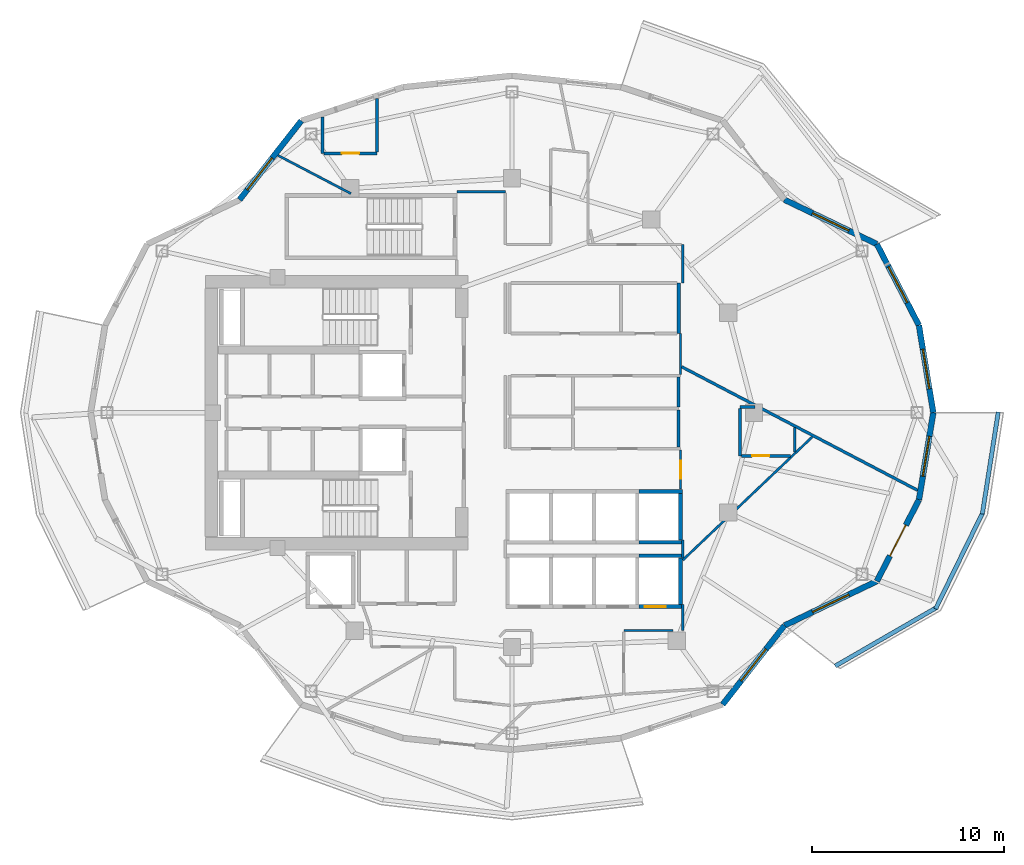
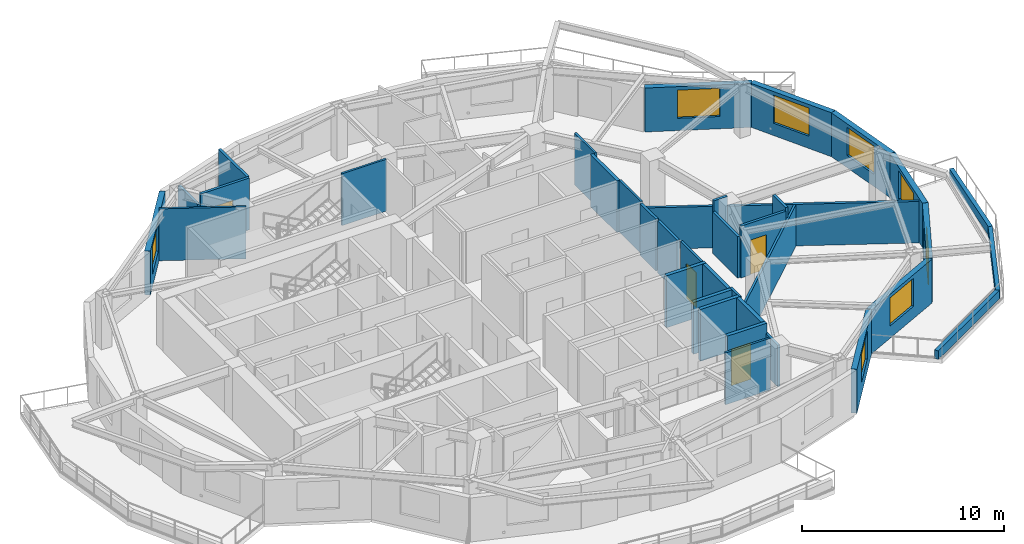
# One storey, part 6 of 11: 37 walls, 7 windows, 5 doors, 12 openings.
"""IFC4 building model written with IfcOpenShell, lengths in metres."""

from ifc_helpers import new_model, si_unit, direction, frame, frame_2d, origin, place, context, subcontext, project, spatial, rectangle, extrude, material, layer, layer_set, type_object, element, fill, save


model = new_model("IFC4")

# Units and contexts
model_context = context("Model", 3, precision=1e-05, world=origin(), true_north=direction((0.0, 1.0)))
body_context = subcontext(model_context, "Body", "Model", "MODEL_VIEW")
ifc_project = project(units=[si_unit("LENGTHUNIT", "METRE"), si_unit("AREAUNIT", "SQUARE_METRE"), si_unit("VOLUMEUNIT", "CUBIC_METRE"), si_unit("PLANEANGLEUNIT", "RADIAN"), si_unit("MASSUNIT", "GRAM", prefix="KILO")], contexts=[model_context])

# Site, building, storey
site_placement = place(None, origin())
site = spatial("IfcSite", under=ifc_project, at=site_placement, CompositionType="ELEMENT")
building_placement = place(site_placement, origin())
building = spatial("IfcBuilding", under=site, at=building_placement, Name="Kolvaren Gate Tower and Convention Centre", CompositionType="ELEMENT")
storey_placement = place(building_placement, frame((0.0, 0.0, 159.699951171875)))
storey = spatial("IfcBuildingStorey", under=building, at=storey_placement, Name="L41", CompositionType="ELEMENT", Elevation=159.699951171875)

# Walls
ifc_material_1 = material(Name="Autoclaved Aerated Masonry Blockwork Class 4 (4.0 MPa)", Category="masonry")
ifc_layer_1 = layer(ifc_material_1, 0.179931640625)
ifc_layer_set_1 = layer_set([ifc_layer_1], Name="Autoclaved Aerated Masonry Blockwork Class 4 (4.0 MPa)")
wall_type_1 = type_object("IfcWallType", Name="ARCH-WL-COMP-180", PredefinedType="SOLIDWALL", material=ifc_layer_set_1)
wall_1_placement = place(storey_placement, frame((38.800048828125, 31.1201171875, 0.0), z_axis=(0.0, 0.0, 1.0), x_axis=(0.0, 1.0, 0.0)))
element("IfcWall", 1, at=wall_1_placement, inside=storey, type_object=wall_type_1, Name="Interior Partition WL-L41-INT-024", PredefinedType="SOLIDWALL", context=body_context, shape_type="SweptSolid", body=[
    extrude(rectangle(XDim=2.6298828125, YDim=0.179931640625, at=frame_2d((1.31494140625, 0.0))), origin(), (0.0, 0.0, 1.0), 3.130126953125),
])
ifc_material_2 = material(Name="Fire-Rated Acoustic Gypsum Stud Partition", Category="gypsum")
ifc_layer_2 = layer(ifc_material_2, 0.1201171875)
ifc_layer_set_2 = layer_set([ifc_layer_2], Name="Fire-Rated Acoustic Gypsum Stud Partition")
wall_type_2 = type_object("IfcWallType", Name="ARCH-WL-PART-120", PredefinedType="PARTITIONING", material=ifc_layer_set_2)
wall_2_placement = place(storey_placement, frame((39.02001953125, 15.64990234375, 0.0), z_axis=(0.0, 0.0, 1.0), x_axis=(0.0, 1.0, 0.0)))
element("IfcWall", 2, at=wall_2_placement, inside=storey, type_object=wall_type_2, Name="Interior Partition WL-L41-INT-028", PredefinedType="PARTITIONING", context=body_context, shape_type="SweptSolid", body=[
    extrude(rectangle(XDim=1.360107421875, YDim=0.1201171875, at=frame_2d((0.68017578125, 0.0))), origin(), (0.0, 0.0, 1.0), 2.505126953125),
])
wall_3_placement = place(storey_placement, frame((39.02001953125, 19.43994140625, 0.0), z_axis=(0.0, 0.0, 1.0), x_axis=(0.0, 1.0, 0.0)))
element("IfcWall", 3, at=wall_3_placement, inside=storey, type_object=wall_type_2, Name="Interior Partition WL-L41-INT-028 (2)", PredefinedType="PARTITIONING", context=body_context, shape_type="SweptSolid", body=[
    extrude(rectangle(XDim=0.920166015625, YDim=0.1201171875, at=frame_2d((0.4599609375, 0.0))), origin(), (0.0, 0.0, 1.0), 3.130126953125),
])
wall_4_placement = place(storey_placement, frame((39.02001953125, 33.75, 0.0), z_axis=(0.0, 0.0, 1.0), x_axis=(0.0, 1.0, 0.0)))
element("IfcWall", 4, at=wall_4_placement, inside=storey, type_object=wall_type_2, Name="Interior Partition WL-L41-INT-029", PredefinedType="PARTITIONING", context=body_context, shape_type="SweptSolid", body=[
    extrude(rectangle(XDim=2.0, YDim=0.1201171875, at=frame_2d((1.0, 0.0))), origin(), (0.0, 0.0, 1.0), 3.130126953125),
])
wall_5_placement = place(storey_placement, frame((35.949951171875, 15.64990234375, 0.0), z_axis=(0.0, 0.0, 1.0), x_axis=(1.0, 0.0, 0.0)))
element("IfcWall", 5, at=wall_5_placement, inside=storey, type_object=wall_type_2, Name="Interior Partition WL-L41-INT-031", PredefinedType="PARTITIONING", context=body_context, shape_type="SweptSolid", body=[
    extrude(rectangle(XDim=2.568115234375, YDim=0.1201171875, at=frame_2d((1.2841796875, 0.0))), origin(), (0.0, 0.0, 1.0), 3.130126953125),
])
wall_6_placement = place(storey_placement, frame((27.25, 38.5, 0.0), z_axis=(0.0, 0.0, 1.0), x_axis=(1.0, 0.0, 0.0)))
element("IfcWall", 6, at=wall_6_placement, inside=storey, type_object=wall_type_2, Name="Interior Partition WL-L41-INT-039", PredefinedType="PARTITIONING", context=body_context, shape_type="SweptSolid", body=[
    extrude(rectangle(XDim=2.530029296875, YDim=0.1201171875, at=frame_2d((1.26513671875, 0.0))), origin(), (0.0, 0.0, 1.0), 3.130126953125),
])

# Wall, opening, door
wall_7_placement = place(storey_placement, frame((38.89990234375, 23.02001953125, 0.0), z_axis=(0.0, 0.0, 1.0), x_axis=(0.0, 1.0, 0.0)))
wall_7 = element("IfcWall", 7, at=wall_7_placement, inside=storey, type_object=wall_type_2, Name="Interior Partition WL-L41-INT-049", PredefinedType="PARTITIONING", context=body_context, shape_type="SweptSolid", body=[
    extrude(rectangle(XDim=2.02294921875, YDim=0.1201171875, at=frame_2d((1.011474609375, 0.0))), origin(), (0.0, 0.0, 1.0), 3.130126953125),
])
opening_1_placement = place(wall_7_placement, frame((0.53662109375, 0.0, 0.0)))
opening_1 = element("IfcOpeningElement", 8, at=opening_1_placement, cuts=wall_7, Name="Opening DR-01", PredefinedType="OPENING", context=body_context, shape_type="SweptSolid", body=[
    extrude(rectangle(XDim=0.949951171875, YDim=2.10009765625, at=frame_2d((0.47509765625, 1.050048828125))), frame((0.0, 0.070068359375, 0.0), z_axis=(0.0, -1.0, 0.0), x_axis=(1.0, 0.0, 0.0)), (0.0, 0.0, 1.0), 0.14013671875),
])
ifc_material_3 = material(Name="Painted Architectural Steelwork ASTM A500 Grade C 345 MPa", Category="steel")
door_type_1 = type_object("IfcDoorType", Name="ARCH-DR-RISER-950", OperationType="SINGLE_SWING_RIGHT", PredefinedType="DOOR", material=ifc_material_3)
door_1_placement = place(opening_1_placement, origin())
door_1 = element("IfcDoor", 9, at=door_1_placement, inside=storey, type_object=door_type_1, Name="Hotel Guest Room (HTL-L41-05) Door", OperationType="SINGLE_SWING_RIGHT", OverallHeight=2.10009765625, OverallWidth=0.949951171875, PredefinedType="DOOR", context=body_context, shape_type="SweptSolid", body=[
    extrude(rectangle(XDim=0.949951171875, YDim=2.10009765625, at=frame_2d((0.47509765625, 1.050048828125))), frame((0.0, 0.02490234375, 0.0), z_axis=(0.0, -1.0, 0.0), x_axis=(1.0, 0.0, 0.0)), (0.0, 0.0, 1.0), 0.050048828125),
])
fill(opening_1, door_1)

# Walls
wall_8_placement = place(storey_placement, frame((38.89990234375, 28.9970703125, 0.0), z_axis=(0.0, 0.0, 1.0), x_axis=(0.0, 1.0, 0.0)))
element("IfcWall", 10, at=wall_8_placement, inside=storey, type_object=wall_type_2, Name="Interior Partition WL-L41-INT-050", PredefinedType="PARTITIONING", context=body_context, shape_type="SweptSolid", body=[
    extrude(rectangle(XDim=2.123046875, YDim=0.1201171875, at=frame_2d((1.0615234375, 0.0))), origin(), (0.0, 0.0, 1.0), 3.130126953125),
])
wall_9_placement = place(storey_placement, frame((17.93701171875, 40.39501953125, 0.0), z_axis=(0.0, 0.0, 1.0), x_axis=(0.885906043835, -0.463864723273, 0.0)))
element("IfcWall", 11, at=wall_9_placement, inside=storey, type_object=wall_type_2, Name="Interior Partition WL-L41-INT-055", PredefinedType="PARTITIONING", context=body_context, shape_type="SweptSolid", body=[
    extrude(rectangle(XDim=4.29638671875, YDim=0.1201171875, at=frame_2d((2.148193359375, 0.0))), origin(), (0.0, 0.0, 1.0), 3.130126953125),
])
wall_10_placement = place(storey_placement, frame((39.02099609375, 19.32373046875, 0.0), z_axis=(0.0, 0.0, 1.0), x_axis=(0.724517158733, 0.689256763986, 0.0)))
element("IfcWall", 12, at=wall_10_placement, inside=storey, type_object=wall_type_2, Name="Interior Partition WL-L41-INT-059", PredefinedType="PARTITIONING", context=body_context, shape_type="SweptSolid", body=[
    extrude(rectangle(XDim=9.3056640625, YDim=0.1201171875, at=frame_2d((4.65283203125, 0.0))), origin(), (0.0, 0.0, 1.0), 2.505126953125),
])
ifc_material_4 = material(Name="Piedmont Cream Honed Limestone Cladding", Category="masonry")
ifc_layer_3 = layer(ifc_material_4, 0.219970703125)
ifc_layer_set_3 = layer_set([ifc_layer_3], Name="Piedmont Cream Honed Limestone Cladding")
wall_type_3 = type_object("IfcWallType", Name="ARCH-WL-PLANTER-220", PredefinedType="PARAPET", material=ifc_layer_set_3)
wall_11_placement = place(storey_placement, frame((46.95751953125, 13.8046875, 0.0), z_axis=(0.0, 0.0, 1.0), x_axis=(0.866058128659, 0.499943314571, 0.0)))
element("IfcWall", 13, at=wall_11_placement, inside=storey, type_object=wall_type_3, Name="Vertical-Forest Balcony Stone Planter Kerb PK-L41-4.1", PredefinedType="PARAPET", context=body_context, shape_type="SweptSolid", body=[
    extrude(rectangle(XDim=6.060302734375, YDim=0.219970703125, at=frame_2d((3.0302734375, 0.0))), origin(), (0.0, 0.0, 1.0), 0.52001953125),
])
wall_12_placement = place(storey_placement, frame((52.180419921875, 16.778564453125, 0.0), z_axis=(0.0, 0.0, 1.0), x_axis=(0.439637174641, 0.898175458735, 0.0)))
element("IfcWall", 14, at=wall_12_placement, inside=storey, type_object=wall_type_3, Name="Vertical-Forest Balcony Stone Planter Kerb PK-L41-4.2", PredefinedType="PARAPET", context=body_context, shape_type="SweptSolid", body=[
    extrude(rectangle(XDim=5.567138671875, YDim=0.219970703125, at=frame_2d((2.78369140625, 0.0))), origin(), (0.0, 0.0, 1.0), 0.52001953125),
])
wall_13_placement = place(storey_placement, frame((54.615234375, 21.719970703125, 0.0), z_axis=(0.0, 0.0, 1.0), x_axis=(0.154245214003, 0.988032597619, 0.0)))
element("IfcWall", 15, at=wall_13_placement, inside=storey, type_object=wall_type_3, Name="Vertical-Forest Balcony Stone Planter Kerb PK-L41-4.3", PredefinedType="PARAPET", context=body_context, shape_type="SweptSolid", body=[
    extrude(rectangle(XDim=5.37353515625, YDim=0.219970703125, at=frame_2d((2.686767578125, 0.0))), origin(), (0.0, 0.0, 1.0), 0.52001953125),
])
ifc_layer_4 = layer(ifc_material_1, 0.199951171875)
ifc_layer_set_4 = layer_set([ifc_layer_4], Name="Autoclaved Aerated Masonry Blockwork Class 4 (4.0 MPa)")
wall_type_4 = type_object("IfcWallType", Name="ARCH-WL-SHAFT-200", PredefinedType="SOLIDWALL", material=ifc_layer_set_4)
wall_14_placement = place(storey_placement, frame((36.75, 19.550048828125, 0.0), z_axis=(0.0, 0.0, 1.0), x_axis=(1.0, 0.0, 0.0)))
element("IfcWall", 16, at=wall_14_placement, inside=storey, type_object=wall_type_4, Name="Elevator PL-08 L41 Fire Shaft Wall N", PredefinedType="SOLIDWALL", context=body_context, shape_type="SweptSolid", body=[
    extrude(rectangle(XDim=2.25, YDim=0.199951171875, at=frame_2d((1.125, 0.0))), origin(), (0.0, 0.0, 1.0), 3.130126953125),
])

# Wall, opening, door
wall_15_placement = place(storey_placement, frame((36.75, 16.89990234375, 0.0), z_axis=(0.0, 0.0, 1.0), x_axis=(1.0, 0.0, 0.0)))
wall_15 = element("IfcWall", 17, at=wall_15_placement, inside=storey, type_object=wall_type_4, Name="Elevator PL-08 L41 Fire Shaft Wall S", PredefinedType="SOLIDWALL", context=body_context, shape_type="SweptSolid", body=[
    extrude(rectangle(XDim=2.25, YDim=0.199951171875, at=frame_2d((1.125, 0.0))), origin(), (0.0, 0.0, 1.0), 3.130126953125),
])
opening_2_placement = place(wall_15_placement, frame((0.280029296875, 0.0, 0.0)))
opening_2 = element("IfcOpeningElement", 18, at=opening_2_placement, cuts=wall_15, Name="Opening LD", PredefinedType="OPENING", context=body_context, shape_type="SweptSolid", body=[
    extrude(rectangle(XDim=1.10009765625, YDim=2.199951171875, at=frame_2d((0.550048828125, 1.10009765625))), frame((0.0, 0.10986328125, 0.0), z_axis=(0.0, -1.0, 0.0), x_axis=(1.0, 0.0, 0.0)), (0.0, 0.0, 1.0), 0.219970703125),
])
ifc_material_5 = material(Name="Brushed Stainless Steel Grade 316L", Category="steel")
door_type_2 = type_object("IfcDoorType", Name="ARCH-DR-LIFT-1100", OperationType="SLIDING_TO_LEFT", PredefinedType="DOOR", material=ifc_material_5)
door_2_placement = place(opening_2_placement, origin())
door_2 = element("IfcDoor", 19, at=door_2_placement, inside=storey, type_object=door_type_2, Name="Elevator PL-08 L41 Sliding Landing Door", OperationType="SLIDING_TO_LEFT", OverallHeight=2.199951171875, OverallWidth=1.10009765625, PredefinedType="DOOR", context=body_context, shape_type="SweptSolid", body=[
    extrude(rectangle(XDim=1.10009765625, YDim=2.199951171875, at=frame_2d((0.550048828125, 1.10009765625))), frame((0.0, 0.02490234375, 0.0), z_axis=(0.0, -1.0, 0.0), x_axis=(1.0, 0.0, 0.0)), (0.0, 0.0, 1.0), 0.050048828125),
])
fill(opening_2, door_2)

# Walls
wall_16_placement = place(storey_placement, frame((38.89990234375, 17.010009765625, 0.0), z_axis=(0.0, 0.0, 1.0), x_axis=(0.0, 1.0, 0.0)))
element("IfcWall", 20, at=wall_16_placement, inside=storey, type_object=wall_type_4, Name="Elevator PL-08 L41 Fire Shaft Wall E", PredefinedType="SOLIDWALL", context=body_context, shape_type="SweptSolid", body=[
    extrude(rectangle(XDim=2.429931640625, YDim=0.199951171875, at=frame_2d((1.21484375, 0.0))), origin(), (0.0, 0.0, 1.0), 3.130126953125),
])
for number, where, z_axis, x_axis, name in (
    (21, (36.75, 22.89990234375, 0.0), (0.0, 0.0, 1.0), (1.0, 0.0, 0.0), "Elevator PL-12 L41 Fire Shaft Wall N"),
    (22, (36.75, 20.25, 0.0), (0.0, 0.0, 1.0), (1.0, 0.0, 0.0), "Elevator PL-12 L41 Fire Shaft Wall S"),
):
    element("IfcWall", number, at=place(storey_placement, frame(where, z_axis=z_axis, x_axis=x_axis)), inside=storey, type_object=wall_type_4, Name=name, PredefinedType="SOLIDWALL", context=body_context, shape_type="SweptSolid", body=[
        extrude(rectangle(XDim=2.25, YDim=0.199951171875, at=frame_2d((1.125, 0.0))), origin(), (0.0, 0.0, 1.0), 3.130126953125),
    ])
wall_17_placement = place(storey_placement, frame((38.89990234375, 20.360107421875, 0.0), z_axis=(0.0, 0.0, 1.0), x_axis=(0.0, 1.0, 0.0)))
element("IfcWall", 23, at=wall_17_placement, inside=storey, type_object=wall_type_4, Name="Elevator PL-12 L41 Fire Shaft Wall E", PredefinedType="SOLIDWALL", context=body_context, shape_type="SweptSolid", body=[
    extrude(rectangle(XDim=2.429931640625, YDim=0.199951171875, at=frame_2d((1.21484375, 0.0))), origin(), (0.0, 0.0, 1.0), 3.130126953125),
])

# Wall, opening, window
ifc_layer_5 = layer(ifc_material_4, 0.300048828125)
ifc_layer_set_5 = layer_set([ifc_layer_5], Name="Piedmont Cream Honed Limestone Cladding")
wall_type_5 = type_object("IfcWallType", Name="ARCH-WL-STONE-300", PredefinedType="SOLIDWALL", material=ifc_layer_set_5)
wall_18_placement = place(storey_placement, frame((51.31494140625, 31.542236328125, 0.0), z_axis=(0.0, 0.0, 1.0), x_axis=(0.162394765401, -0.986725868806, 0.0)))
wall_18 = element("IfcWall", 24, at=wall_18_placement, inside=storey, type_object=wall_type_5, Name="Tower L41 Honed Stone Spandrel Wall EW-00", PredefinedType="SOLIDWALL", context=body_context, shape_type="SweptSolid", body=[
    extrude(rectangle(XDim=4.603271484375, YDim=0.300048828125, at=frame_2d((2.3017578125, 0.0))), origin(), (0.0, 0.0, 1.0), 2.653076171875),
])
opening_3_placement = place(wall_18_placement, frame((1.251953125, 0.0, 0.739990234375)))
opening_3 = element("IfcOpeningElement", 25, at=opening_3_placement, cuts=wall_18, Name="Opening W-02", PredefinedType="OPENING", context=body_context, shape_type="SweptSolid", body=[
    extrude(rectangle(XDim=2.10009765625, YDim=1.699951171875, at=frame_2d((1.050048828125, 0.85009765625))), frame((0.0, 0.159912109375, 0.0), z_axis=(0.0, -1.0, 0.0), x_axis=(1.0, 0.0, 0.0)), (0.0, 0.0, 1.0), 0.320068359375),
])
ifc_material_6 = material(Name="Low-E Triple Insulated Glazing Unit 44 mm", Category="glass")
window_type = type_object("IfcWindowType", Name="ARCH-WN-HTL-2100", PartitioningType="SINGLE_PANEL", PredefinedType="WINDOW", material=ifc_material_6)
window_1_placement = place(opening_3_placement, origin())
window_1 = element("IfcWindow", 26, at=window_1_placement, inside=storey, type_object=window_type, Name="Tower L41 Punched Stone Facade Window W-00", OverallHeight=1.699951171875, OverallWidth=2.10009765625, PartitioningType="SINGLE_PANEL", PredefinedType="WINDOW", context=body_context, shape_type="SweptSolid", body=[
    extrude(rectangle(XDim=2.10009765625, YDim=1.699951171875, at=frame_2d((1.050048828125, 0.85009765625))), frame((0.0, 0.030029296875, 0.0), z_axis=(0.0, -1.0, 0.0), x_axis=(1.0, 0.0, 0.0)), (0.0, 0.0, 1.0), 0.06005859375),
])
fill(opening_3, window_1)

wall_19_placement = place(storey_placement, frame((49.123291015625, 35.77490234375, 0.0), z_axis=(0.0, 0.0, 1.0), x_axis=(0.459810251451, -0.888017191647, 0.0)))
wall_19 = element("IfcWall", 27, at=wall_19_placement, inside=storey, type_object=wall_type_5, Name="Tower L41 Honed Stone Spandrel Wall EW-01", PredefinedType="SOLIDWALL", context=body_context, shape_type="SweptSolid", body=[
    extrude(rectangle(XDim=4.766357421875, YDim=0.300048828125, at=frame_2d((2.38330078125, 0.0))), origin(), (0.0, 0.0, 1.0), 2.653076171875),
])
opening_4_placement = place(wall_19_placement, frame((1.3330078125, 0.0, 0.739990234375)))
opening_4 = element("IfcOpeningElement", 28, at=opening_4_placement, cuts=wall_19, Name="Opening W-02", PredefinedType="OPENING", context=body_context, shape_type="SweptSolid", body=[
    extrude(rectangle(XDim=2.10009765625, YDim=1.699951171875, at=frame_2d((1.050048828125, 0.85009765625))), frame((0.0, 0.159912109375, 0.0), z_axis=(0.0, -1.0, 0.0), x_axis=(1.0, 0.0, 0.0)), (0.0, 0.0, 1.0), 0.320068359375),
])
window_2_placement = place(opening_4_placement, origin())
window_2 = element("IfcWindow", 29, at=window_2_placement, inside=storey, type_object=window_type, Name="Tower L41 Punched Stone Facade Window W-01", OverallHeight=1.699951171875, OverallWidth=2.10009765625, PartitioningType="SINGLE_PANEL", PredefinedType="WINDOW", context=body_context, shape_type="SweptSolid", body=[
    extrude(rectangle(XDim=2.10009765625, YDim=1.699951171875, at=frame_2d((1.050048828125, 0.85009765625))), frame((0.0, 0.030029296875, 0.0), z_axis=(0.0, -1.0, 0.0), x_axis=(1.0, 0.0, 0.0)), (0.0, 0.0, 1.0), 0.06005859375),
])
fill(opening_4, window_2)

wall_20_placement = place(storey_placement, frame((44.3134765625, 38.0859375, 0.0), z_axis=(0.0, 0.0, 1.0), x_axis=(0.901353070301, -0.433085029363, 0.0)))
wall_20 = element("IfcWall", 30, at=wall_20_placement, inside=storey, type_object=wall_type_5, Name="Tower L41 Honed Stone Spandrel Wall EW-02", PredefinedType="SOLIDWALL", context=body_context, shape_type="SweptSolid", body=[
    extrude(rectangle(XDim=5.336181640625, YDim=0.300048828125, at=frame_2d((2.66796875, 0.0))), origin(), (0.0, 0.0, 1.0), 2.653076171875),
])
opening_5_placement = place(wall_20_placement, frame((1.617919921875, 0.0, 0.739990234375)))
opening_5 = element("IfcOpeningElement", 31, at=opening_5_placement, cuts=wall_20, Name="Opening W-02", PredefinedType="OPENING", context=body_context, shape_type="SweptSolid", body=[
    extrude(rectangle(XDim=2.10009765625, YDim=1.699951171875, at=frame_2d((1.050048828125, 0.85009765625))), frame((0.0, 0.159912109375, 0.0), z_axis=(0.0, -1.0, 0.0), x_axis=(1.0, 0.0, 0.0)), (0.0, 0.0, 1.0), 0.320068359375),
])
window_3_placement = place(opening_5_placement, origin())
window_3 = element("IfcWindow", 32, at=window_3_placement, inside=storey, type_object=window_type, Name="Tower L41 Punched Stone Facade Window W-02", OverallHeight=1.699951171875, OverallWidth=2.10009765625, PartitioningType="SINGLE_PANEL", PredefinedType="WINDOW", context=body_context, shape_type="SweptSolid", body=[
    extrude(rectangle(XDim=2.10009765625, YDim=1.699951171875, at=frame_2d((1.050048828125, 0.85009765625))), frame((0.0, 0.030029296875, 0.0), z_axis=(0.0, -1.0, 0.0), x_axis=(1.0, 0.0, 0.0)), (0.0, 0.0, 1.0), 0.06005859375),
])
fill(opening_5, window_3)

wall_21_placement = place(storey_placement, frame((15.9365234375, 38.0859375, 0.0), z_axis=(0.0, 0.0, 1.0), x_axis=(0.616429245738, 0.787410302828, 0.0)))
wall_21 = element("IfcWall", 33, at=wall_21_placement, inside=storey, type_object=wall_type_5, Name="Tower L41 Honed Stone Spandrel Wall EW-08", PredefinedType="SOLIDWALL", context=body_context, shape_type="SweptSolid", body=[
    extrude(rectangle(XDim=5.22314453125, YDim=0.300048828125, at=frame_2d((2.611572265625, 0.0))), origin(), (0.0, 0.0, 1.0), 2.653076171875),
])
opening_6_placement = place(wall_21_placement, frame((0.64990234375, 0.0, 0.739990234375)))
opening_6 = element("IfcOpeningElement", 34, at=opening_6_placement, cuts=wall_21, Name="Opening W-02", PredefinedType="OPENING", context=body_context, shape_type="SweptSolid", body=[
    extrude(rectangle(XDim=2.10009765625, YDim=1.699951171875, at=frame_2d((1.050048828125, 0.85009765625))), frame((0.0, 0.159912109375, 0.0), z_axis=(0.0, -1.0, 0.0), x_axis=(1.0, 0.0, 0.0)), (0.0, 0.0, 1.0), 0.320068359375),
])
window_4_placement = place(opening_6_placement, origin())
window_4 = element("IfcWindow", 35, at=window_4_placement, inside=storey, type_object=window_type, Name="Tower L41 Punched Stone Facade Window W-08", OverallHeight=1.699951171875, OverallWidth=2.10009765625, PartitioningType="SINGLE_PANEL", PredefinedType="WINDOW", context=body_context, shape_type="SweptSolid", body=[
    extrude(rectangle(XDim=2.10009765625, YDim=1.699951171875, at=frame_2d((1.050048828125, 0.85009765625))), frame((0.0, 0.030029296875, 0.0), z_axis=(0.0, -1.0, 0.0), x_axis=(1.0, 0.0, 0.0)), (0.0, 0.0, 1.0), 0.06005859375),
])
fill(opening_6, window_4)

wall_22_placement = place(storey_placement, frame((41.09375, 11.80126953125, 0.0), z_axis=(0.0, 0.0, 1.0), x_axis=(0.616429245738, 0.787410302828, 0.0)))
wall_22 = element("IfcWall", 36, at=wall_22_placement, inside=storey, type_object=wall_type_5, Name="Tower L41 Honed Stone Spandrel Wall EW-20", PredefinedType="SOLIDWALL", context=body_context, shape_type="SweptSolid", body=[
    extrude(rectangle(XDim=5.22314453125, YDim=0.300048828125, at=frame_2d((2.611572265625, 0.0))), origin(), (0.0, 0.0, 1.0), 2.653076171875),
])
opening_7_placement = place(wall_22_placement, frame((1.56201171875, 0.0, 0.739990234375)))
opening_7 = element("IfcOpeningElement", 37, at=opening_7_placement, cuts=wall_22, Name="Opening W-02", PredefinedType="OPENING", context=body_context, shape_type="SweptSolid", body=[
    extrude(rectangle(XDim=2.10009765625, YDim=1.699951171875, at=frame_2d((1.050048828125, 0.85009765625))), frame((0.0, 0.159912109375, 0.0), z_axis=(0.0, -1.0, 0.0), x_axis=(1.0, 0.0, 0.0)), (0.0, 0.0, 1.0), 0.320068359375),
])
window_5_placement = place(opening_7_placement, origin())
window_5 = element("IfcWindow", 38, at=window_5_placement, inside=storey, type_object=window_type, Name="Tower L41 Punched Stone Facade Window W-20", OverallHeight=1.699951171875, OverallWidth=2.10009765625, PartitioningType="SINGLE_PANEL", PredefinedType="WINDOW", context=body_context, shape_type="SweptSolid", body=[
    extrude(rectangle(XDim=2.10009765625, YDim=1.699951171875, at=frame_2d((1.050048828125, 0.85009765625))), frame((0.0, 0.030029296875, 0.0), z_axis=(0.0, -1.0, 0.0), x_axis=(1.0, 0.0, 0.0)), (0.0, 0.0, 1.0), 0.06005859375),
])
fill(opening_7, window_5)

wall_23_placement = place(storey_placement, frame((44.3134765625, 15.9140625, 0.0), z_axis=(0.0, 0.0, 1.0), x_axis=(0.901353070301, 0.433085029363, 0.0)))
wall_23 = element("IfcWall", 39, at=wall_23_placement, inside=storey, type_object=wall_type_5, Name="Tower L41 Honed Stone Spandrel Wall EW-21", PredefinedType="SOLIDWALL", context=body_context, shape_type="SweptSolid", body=[
    extrude(rectangle(XDim=5.336181640625, YDim=0.300048828125, at=frame_2d((2.66796875, 0.0))), origin(), (0.0, 0.0, 1.0), 2.653076171875),
])
opening_8_placement = place(wall_23_placement, frame((1.617919921875, 0.0, 0.739990234375)))
opening_8 = element("IfcOpeningElement", 40, at=opening_8_placement, cuts=wall_23, Name="Opening W-02", PredefinedType="OPENING", context=body_context, shape_type="SweptSolid", body=[
    extrude(rectangle(XDim=2.10009765625, YDim=1.699951171875, at=frame_2d((1.050048828125, 0.85009765625))), frame((0.0, 0.159912109375, 0.0), z_axis=(0.0, -1.0, 0.0), x_axis=(1.0, 0.0, 0.0)), (0.0, 0.0, 1.0), 0.320068359375),
])
window_6_placement = place(opening_8_placement, origin())
window_6 = element("IfcWindow", 41, at=window_6_placement, inside=storey, type_object=window_type, Name="Tower L41 Punched Stone Facade Window W-21", OverallHeight=1.699951171875, OverallWidth=2.10009765625, PartitioningType="SINGLE_PANEL", PredefinedType="WINDOW", context=body_context, shape_type="SweptSolid", body=[
    extrude(rectangle(XDim=2.10009765625, YDim=1.699951171875, at=frame_2d((1.050048828125, 0.85009765625))), frame((0.0, 0.030029296875, 0.0), z_axis=(0.0, -1.0, 0.0), x_axis=(1.0, 0.0, 0.0)), (0.0, 0.0, 1.0), 0.06005859375),
])
fill(opening_8, window_6)

# Wall, opening, door
wall_24_placement = place(storey_placement, frame((49.123291015625, 18.22509765625, 0.0), z_axis=(0.0, 0.0, 1.0), x_axis=(0.459810251451, 0.888017191647, 0.0)))
wall_24 = element("IfcWall", 42, at=wall_24_placement, inside=storey, type_object=wall_type_5, Name="Tower L41 Honed Stone Spandrel Wall EW-22", PredefinedType="SOLIDWALL", context=body_context, shape_type="SweptSolid", body=[
    extrude(rectangle(XDim=4.766357421875, YDim=0.300048828125, at=frame_2d((2.38330078125, 0.0))), origin(), (0.0, 0.0, 1.0), 2.653076171875),
])
opening_9_placement = place(wall_24_placement, frame((1.48291015625, 0.0, 0.0)))
opening_9 = element("IfcOpeningElement", 43, at=opening_9_placement, cuts=wall_24, Name="Opening DB-01", PredefinedType="OPENING", context=body_context, shape_type="SweptSolid", body=[
    extrude(rectangle(XDim=1.800048828125, YDim=2.25, at=frame_2d((0.89990234375, 1.125))), frame((0.0, 0.159912109375, 0.0), z_axis=(0.0, -1.0, 0.0), x_axis=(1.0, 0.0, 0.0)), (0.0, 0.0, 1.0), 0.320068359375),
])
ifc_material_7 = material(Name="Anodized Architectural Aluminium Alloy 6063-T6", Category="aluminium")
door_type_3 = type_object("IfcDoorType", Name="ARCH-DR-BALC-1800", OperationType="SLIDING_TO_LEFT", PredefinedType="DOOR", material=ifc_material_7)
door_3_placement = place(opening_9_placement, frame((1.800048828125, 0.0, 0.0), z_axis=(0.0, 0.0, 1.0), x_axis=(-1.0, 0.0, 0.0)))
door_3 = element("IfcDoor", 44, at=door_3_placement, inside=storey, type_object=door_type_3, Name="Planted Sky Terrace Access Door DB-L41-22", OperationType="SLIDING_TO_LEFT", OverallHeight=2.25, OverallWidth=1.800048828125, PredefinedType="DOOR", context=body_context, shape_type="SweptSolid", body=[
    extrude(rectangle(XDim=1.800048828125, YDim=2.25, at=frame_2d((0.89990234375, 1.125))), frame((0.0, 0.02490234375, 0.0), z_axis=(0.0, -1.0, 0.0), x_axis=(1.0, 0.0, 0.0)), (0.0, 0.0, 1.0), 0.050048828125),
])
fill(opening_9, door_3)

# Wall, opening, window
wall_25_placement = place(storey_placement, frame((51.31494140625, 22.457763671875, 0.0), z_axis=(0.0, 0.0, 1.0), x_axis=(0.162394765401, 0.986725868806, 0.0)))
wall_25 = element("IfcWall", 45, at=wall_25_placement, inside=storey, type_object=wall_type_5, Name="Tower L41 Honed Stone Spandrel Wall EW-23", PredefinedType="SOLIDWALL", context=body_context, shape_type="SweptSolid", body=[
    extrude(rectangle(XDim=4.603271484375, YDim=0.300048828125, at=frame_2d((2.3017578125, 0.0))), origin(), (0.0, 0.0, 1.0), 2.653076171875),
])
opening_10_placement = place(wall_25_placement, frame((1.251953125, 0.0, 0.739990234375)))
opening_10 = element("IfcOpeningElement", 46, at=opening_10_placement, cuts=wall_25, Name="Opening W-02", PredefinedType="OPENING", context=body_context, shape_type="SweptSolid", body=[
    extrude(rectangle(XDim=2.10009765625, YDim=1.699951171875, at=frame_2d((1.050048828125, 0.85009765625))), frame((0.0, 0.159912109375, 0.0), z_axis=(0.0, -1.0, 0.0), x_axis=(1.0, 0.0, 0.0)), (0.0, 0.0, 1.0), 0.320068359375),
])
window_7_placement = place(opening_10_placement, origin())
window_7 = element("IfcWindow", 47, at=window_7_placement, inside=storey, type_object=window_type, Name="Tower L41 Punched Stone Facade Window W-23", OverallHeight=1.699951171875, OverallWidth=2.10009765625, PartitioningType="SINGLE_PANEL", PredefinedType="WINDOW", context=body_context, shape_type="SweptSolid", body=[
    extrude(rectangle(XDim=2.10009765625, YDim=1.699951171875, at=frame_2d((1.050048828125, 0.85009765625))), frame((0.0, 0.030029296875, 0.0), z_axis=(0.0, -1.0, 0.0), x_axis=(1.0, 0.0, 0.0)), (0.0, 0.0, 1.0), 0.06005859375),
])
fill(opening_10, window_7)

# Walls
ifc_material_8 = material(Name="Moisture-Resistant Cement-Board Acoustic Partition", Category="gypsum")
ifc_layer_6 = layer(ifc_material_8, 0.14990234375)
ifc_layer_set_6 = layer_set([ifc_layer_6], Name="Moisture-Resistant Cement-Board Acoustic Partition")
wall_type_6 = type_object("IfcWallType", Name="ARCH-WL-WET-150", PredefinedType="PARTITIONING", material=ifc_layer_set_6)
wall_26_placement = place(storey_placement, frame((38.800048828125, 25.197021484375, 0.0), z_axis=(0.0, 0.0, 1.0), x_axis=(0.0, 1.0, 0.0)))
element("IfcWall", 48, at=wall_26_placement, inside=storey, type_object=wall_type_6, Name="Interior Partition WL-L41-INT-023", PredefinedType="PARTITIONING", context=body_context, shape_type="SweptSolid", body=[
    extrude(rectangle(XDim=1.946044921875, YDim=0.14990234375, at=frame_2d((0.97314453125, 0.0))), origin(), (0.0, 0.0, 1.0), 3.130126953125),
])
wall_27_placement = place(storey_placement, frame((38.800048828125, 27.297119140625, 0.0), z_axis=(0.0, 0.0, 1.0), x_axis=(0.0, 1.0, 0.0)))
element("IfcWall", 49, at=wall_27_placement, inside=storey, type_object=wall_type_6, Name="Interior Partition WL-L41-INT-023 (2)", PredefinedType="PARTITIONING", context=body_context, shape_type="SweptSolid", body=[
    extrude(rectangle(XDim=1.5458984375, YDim=0.14990234375, at=frame_2d((0.77294921875, 0.0))), origin(), (0.0, 0.0, 1.0), 3.130126953125),
])
wall_28_placement = place(storey_placement, frame((38.9619140625, 29.385986328125, 0.0), z_axis=(0.0, 0.0, 1.0), x_axis=(0.885905291329, -0.463866160434, 0.0)))
element("IfcWall", 50, at=wall_28_placement, inside=storey, type_object=wall_type_6, Name="Interior Partition WL-L41-INT-056", PredefinedType="PARTITIONING", context=body_context, shape_type="SweptSolid", body=[
    extrude(rectangle(XDim=13.862548828125, YDim=0.14990234375, at=frame_2d((6.93115234375, 0.0))), origin(), (0.0, 0.0, 1.0), 2.505126953125),
])
wall_29_placement = place(storey_placement, frame((42.0, 27.300048828125, 0.0), z_axis=(0.0, 0.0, 1.0), x_axis=(1.0, 0.0, 0.0)))
element("IfcWall", 51, at=wall_29_placement, inside=storey, type_object=wall_type_6, Name="Interior Partition WL-L41-INT-061", PredefinedType="PARTITIONING", context=body_context, shape_type="SweptSolid", body=[
    extrude(rectangle(XDim=0.77978515625, YDim=0.14990234375, at=frame_2d((0.389892578125, 0.0))), origin(), (0.0, 0.0, 1.0), 3.130126953125),
])
wall_30_placement = place(storey_placement, frame((42.0, 24.75, 0.0), z_axis=(0.0, 0.0, 1.0), x_axis=(0.0, 1.0, 0.0)))
element("IfcWall", 52, at=wall_30_placement, inside=storey, type_object=wall_type_6, Name="Interior Partition WL-L41-INT-062", PredefinedType="PARTITIONING", context=body_context, shape_type="SweptSolid", body=[
    extrude(rectangle(XDim=2.472900390625, YDim=0.14990234375, at=frame_2d((1.236328125, 0.0))), origin(), (0.0, 0.0, 1.0), 2.505126953125),
])

# Wall, opening, door
wall_31_placement = place(storey_placement, frame((42.076904296875, 24.75, 0.0), z_axis=(0.0, 0.0, 1.0), x_axis=(1.0, 0.0, 0.0)))
wall_31 = element("IfcWall", 53, at=wall_31_placement, inside=storey, type_object=wall_type_6, Name="Interior Partition WL-L41-INT-063", PredefinedType="PARTITIONING", context=body_context, shape_type="SweptSolid", body=[
    extrude(rectangle(XDim=2.55810546875, YDim=0.14990234375, at=frame_2d((1.279052734375, 0.0))), origin(), (0.0, 0.0, 1.0), 3.130126953125),
])
opening_11_placement = place(wall_31_placement, frame((0.549072265625, 0.0, 0.0)))
opening_11 = element("IfcOpeningElement", 54, at=opening_11_placement, cuts=wall_31, Name="Opening DW-01", PredefinedType="OPENING", context=body_context, shape_type="SweptSolid", body=[
    extrude(rectangle(XDim=0.89990234375, YDim=2.10009765625, at=frame_2d((0.449951171875, 1.050048828125))), frame((0.0, 0.0849609375, 0.0), z_axis=(0.0, -1.0, 0.0), x_axis=(1.0, 0.0, 0.0)), (0.0, 0.0, 1.0), 0.169921875),
])
ifc_material_9 = material(Name="FSC Andean Oak Engineered Veneer Door Leaf", Category="wood")
door_type_4 = type_object("IfcDoorType", Name="ARCH-DR-WC-900", OperationType="SINGLE_SWING_RIGHT", PredefinedType="DOOR", material=ifc_material_9)
door_4_placement = place(opening_11_placement, origin())
door_4 = element("IfcDoor", 55, at=door_4_placement, inside=storey, type_object=door_type_4, Name="En-suite Bathroom (HTL-L41-05) Door", OperationType="SINGLE_SWING_LEFT", OverallHeight=2.10009765625, OverallWidth=0.89990234375, PredefinedType="DOOR", context=body_context, shape_type="SweptSolid", body=[
    extrude(rectangle(XDim=0.89990234375, YDim=2.10009765625, at=frame_2d((0.449951171875, 1.050048828125))), frame((0.0, 0.02490234375, 0.0), z_axis=(0.0, -1.0, 0.0), x_axis=(1.0, 0.0, 0.0)), (0.0, 0.0, 1.0), 0.050048828125),
])
fill(opening_11, door_4)

# Walls
wall_32_placement = place(storey_placement, frame((44.85009765625, 24.95458984375, 0.0), z_axis=(0.0, 0.0, 1.0), x_axis=(0.0, 1.0, 0.0)))
element("IfcWall", 56, at=wall_32_placement, inside=storey, type_object=wall_type_6, Name="Interior Partition WL-L41-INT-064", PredefinedType="PARTITIONING", context=body_context, shape_type="SweptSolid", body=[
    extrude(rectangle(XDim=1.261474609375, YDim=0.14990234375, at=frame_2d((0.630859375, 0.0))), origin(), (0.0, 0.0, 1.0), 3.130126953125),
])
wall_33_placement = place(storey_placement, frame((20.25, 40.5, 0.0), z_axis=(0.0, 0.0, 1.0), x_axis=(0.0, 1.0, 0.0)))
element("IfcWall", 57, at=wall_33_placement, inside=storey, type_object=wall_type_6, Name="Interior Partition WL-L41-INT-067", PredefinedType="PARTITIONING", context=body_context, shape_type="SweptSolid", body=[
    extrude(rectangle(XDim=1.90087890625, YDim=0.14990234375, at=frame_2d((0.950439453125, 0.0))), origin(), (0.0, 0.0, 1.0), 2.505126953125),
])

# Wall, opening, door
wall_34_placement = place(storey_placement, frame((20.326904296875, 40.5, 0.0), z_axis=(0.0, 0.0, 1.0), x_axis=(1.0, 0.0, 0.0)))
wall_34 = element("IfcWall", 58, at=wall_34_placement, inside=storey, type_object=wall_type_6, Name="Interior Partition WL-L41-INT-068", PredefinedType="PARTITIONING", context=body_context, shape_type="SweptSolid", body=[
    extrude(rectangle(XDim=2.773193359375, YDim=0.14990234375, at=frame_2d((1.38671875, 0.0))), origin(), (0.0, 0.0, 1.0), 3.130126953125),
])
opening_12_placement = place(wall_34_placement, frame((0.9365234375, 0.0, 0.0)))
opening_12 = element("IfcOpeningElement", 59, at=opening_12_placement, cuts=wall_34, Name="Opening DW-01", PredefinedType="OPENING", context=body_context, shape_type="SweptSolid", body=[
    extrude(rectangle(XDim=0.89990234375, YDim=2.10009765625, at=frame_2d((0.449951171875, 1.050048828125))), frame((0.0, 0.0849609375, 0.0), z_axis=(0.0, -1.0, 0.0), x_axis=(1.0, 0.0, 0.0)), (0.0, 0.0, 1.0), 0.169921875),
])
door_5_placement = place(opening_12_placement, origin())
door_5 = element("IfcDoor", 60, at=door_5_placement, inside=storey, type_object=door_type_4, Name="En-suite Bathroom (HTL-L41-07) Door", OperationType="SINGLE_SWING_RIGHT", OverallHeight=2.10009765625, OverallWidth=0.89990234375, PredefinedType="DOOR", context=body_context, shape_type="SweptSolid", body=[
    extrude(rectangle(XDim=0.89990234375, YDim=2.10009765625, at=frame_2d((0.449951171875, 1.050048828125))), frame((0.0, 0.02490234375, 0.0), z_axis=(0.0, -1.0, 0.0), x_axis=(1.0, 0.0, 0.0)), (0.0, 0.0, 1.0), 0.050048828125),
])
fill(opening_12, door_5)

# Wall
wall_35_placement = place(storey_placement, frame((23.10009765625, 40.576904296875, 0.0), z_axis=(0.0, 0.0, 1.0), x_axis=(0.0, 1.0, 0.0)))
element("IfcWall", 61, at=wall_35_placement, inside=storey, type_object=wall_type_6, Name="Interior Partition WL-L41-INT-069", PredefinedType="PARTITIONING", context=body_context, shape_type="SweptSolid", body=[
    extrude(rectangle(XDim=2.7685546875, YDim=0.14990234375, at=frame_2d((1.38427734375, 0.0))), origin(), (0.0, 0.0, 1.0), 3.130126953125),
])

save(model, "model.ifc")
